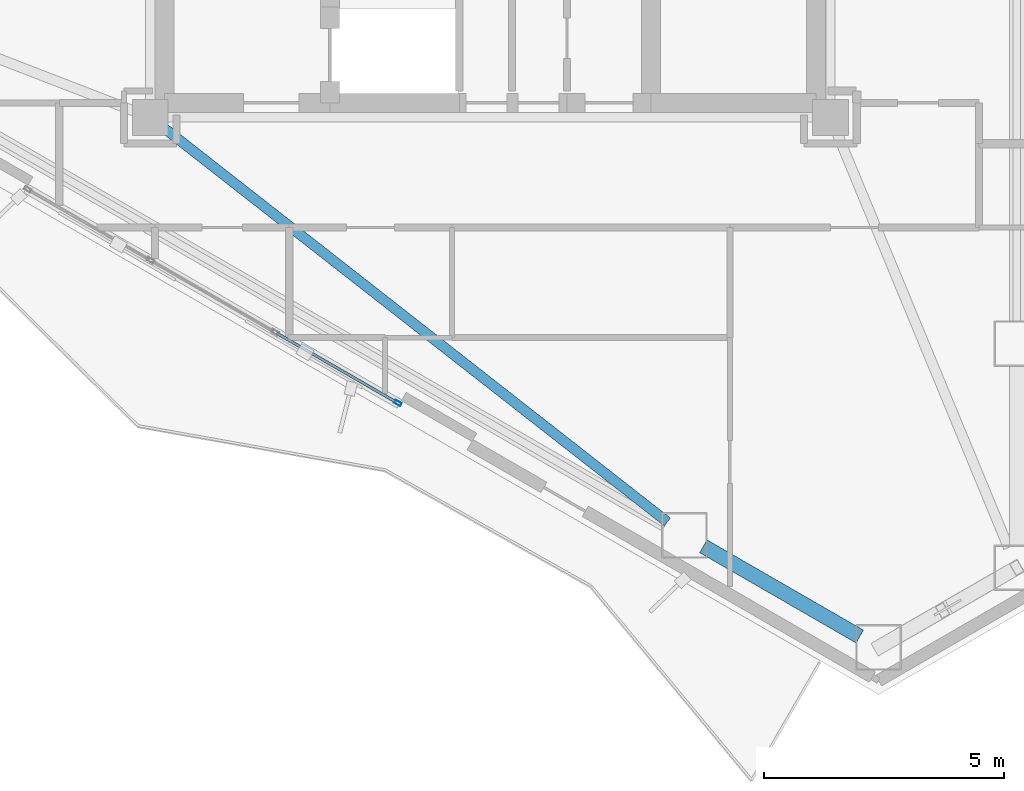
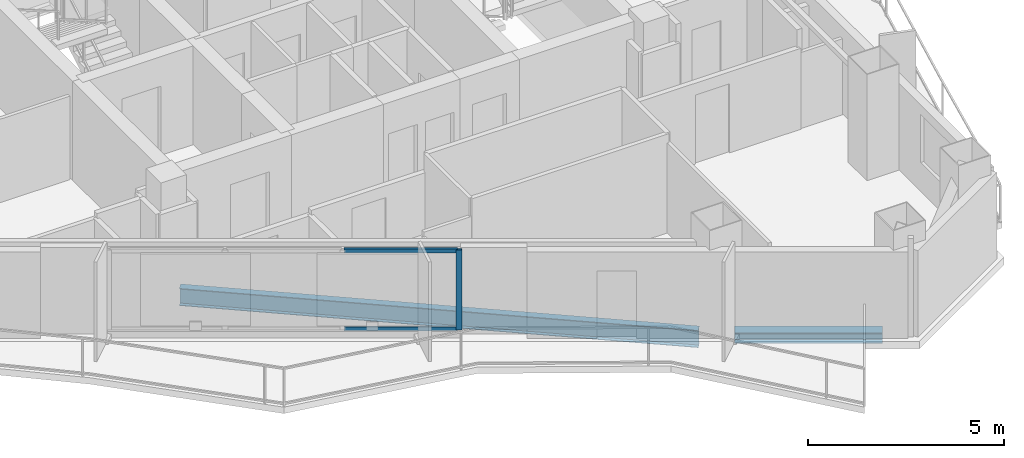
# One storey, part 4 of 22: 3 members, 2 beams, 1 element without a shape of its own.
"""IFC4 building model written with IfcOpenShell, lengths in metres."""

from ifc_helpers import new_model, si_unit, direction, frame, origin, origin_2d, place, context, subcontext, project, spatial, hollow_rectangle, i_section, extrude, material, layer, layer_set, material_profile, profile_set, type_object, element, aggregate, save


model = new_model("IFC4")

# Units and contexts
model_context = context("Model", 3, precision=1e-05, world=origin(), true_north=direction((0.0, 1.0)))
body_context = subcontext(model_context, "Body", "Model", "MODEL_VIEW")
ifc_project = project(units=[si_unit("LENGTHUNIT", "METRE"), si_unit("AREAUNIT", "SQUARE_METRE"), si_unit("VOLUMEUNIT", "CUBIC_METRE"), si_unit("PLANEANGLEUNIT", "RADIAN"), si_unit("MASSUNIT", "GRAM", prefix="KILO")], contexts=[model_context])

# Site, building, storey
site_placement = place(None, origin())
site = spatial("IfcSite", under=ifc_project, at=site_placement, CompositionType="ELEMENT")
building_placement = place(site_placement, origin())
building = spatial("IfcBuilding", under=site, at=building_placement, Name="Mersakhor Tower and Convention Hall", CompositionType="ELEMENT")
storey_placement = place(building_placement, frame((0.0, 0.0, 192.0)))
storey = spatial("IfcBuildingStorey", under=building, at=storey_placement, Name="L53", CompositionType="ELEMENT", Elevation=192.0)

# Beams
ifc_material_1 = material(Name="Steel S355", Category="steel")
ifc_material_profile_1 = material_profile(ifc_material_1, i_section(OverallWidth=0.2099609375, OverallDepth=0.53662109375, WebThickness=0.0107421875, FlangeThickness=0.017333984375, at=origin_2d()), Name="UB 533x210x101")
ifc_profile_set_1 = profile_set([ifc_material_profile_1], Name="Steel S355")
beam_type_1 = type_object("IfcBeamType", Name="BM-FB-533", PredefinedType="BEAM", material=ifc_profile_set_1)
beam_1_placement = place(storey_placement, frame((22.1796875, 20.231201171875, -0.498291015625), z_axis=(0.787496511663, -0.616319109, 0.0), x_axis=(0.616319109, 0.787496511663, 0.0)))
element("IfcBeam", 1, at=beam_1_placement, inside=storey, type_object=beam_type_1, Name="L53 Primary Floor Girder FG-5", PredefinedType="BEAM", context=body_context, shape_type="SweptSolid", body=[
    extrude(i_section(OverallWidth=0.2099609375, OverallDepth=0.53662109375, WebThickness=0.0107421875, FlangeThickness=0.017333984375, at=origin_2d()), origin(), (0.0, 0.0, 1.0), 13.35107421875),
])
ifc_material_2 = material(Name="Steel S355", Category="steel")
ifc_material_profile_2 = material_profile(ifc_material_2, i_section(OverallWidth=0.30908203125, OverallDepth=0.320556640625, WebThickness=0.013916015625, FlangeThickness=0.021728515625, at=origin_2d()), Name="UC 305x305x137")
ifc_profile_set_2 = profile_set([ifc_material_profile_2], Name="Steel S355")
beam_type_2 = type_object("IfcBeamType", Name="BM-SPD-UC305", PredefinedType="SPANDREL", material=ifc_profile_set_2)
beam_2_placement = place(storey_placement, frame((36.710205078125, 9.6103515625, -0.39013671875), z_axis=(-0.866046450459, 0.499963544319, 0.0), x_axis=(-0.499963544319, -0.866046450459, 0.0)))
element("IfcBeam", 2, at=beam_2_placement, inside=storey, type_object=beam_type_2, Name="L53 Perimeter Spandrel Beam SPB-09", PredefinedType="SPANDREL", context=body_context, shape_type="SweptSolid", body=[
    extrude(i_section(OverallWidth=0.30908203125, OverallDepth=0.320556640625, WebThickness=0.013916015625, FlangeThickness=0.021728515625, at=origin_2d()), origin(), (0.0, 0.0, 1.0), 3.769287109375),
])

# Curtain wall, members
ifc_material_3 = material(Name="Dark solar low-E aluminium curtain wall", Category="aluminium")
ifc_layer = layer(ifc_material_3, 0.169921875)
ifc_layer_set = layer_set([ifc_layer], Name="Dark solar low-E aluminium curtain wall")
curtain_wall_type = type_object("IfcCurtainWallType", Name="CW-SYS-02", PredefinedType="USERDEFINED", material=ifc_layer_set)
curtain_wall_placement = place(storey_placement, origin())
curtain_wall = element("IfcCurtainWall", 3, at=curtain_wall_placement, inside=storey, type_object=curtain_wall_type, Name="L53 Dark-Glass Curtain Wall F3-B2", ObjectType="CURTAIN WALL", PredefinedType="USERDEFINED")
ifc_material_4 = material(Name="Anodised aluminium EN AW-6063 T6", Category="aluminium")
ifc_material_profile_3 = material_profile(ifc_material_4, hollow_rectangle(XDim=0.074951171875, YDim=0.14990234375, WallThickness=0.00634765625, at=origin_2d()), Name="RHS 150x75x6.3")
ifc_profile_set_3 = profile_set([ifc_material_profile_3], Name="Anodised aluminium EN AW-6063 T6")
member_type_1 = type_object("IfcMemberType", Name="CWM-150x75", PredefinedType="MULLION", material=ifc_profile_set_3)
member_1_placement = place(storey_placement, frame((27.06982421875, 14.483154296875, 0.199951171875), z_axis=(0.0, 0.0, 1.0), x_axis=(-0.500007824483, -0.86602088627, 0.0)))
member_1 = element("IfcMember", 4, at=member_1_placement, type_object=member_type_1, Name="CW-02 mullion 1", PredefinedType="MULLION", context=body_context, shape_type="SweptSolid", body=[
    extrude(hollow_rectangle(XDim=0.074951171875, YDim=0.14990234375, WallThickness=0.00634765625, at=origin_2d()), origin(), (0.0, 0.0, 1.0), 2.489990234375),
])
ifc_material_5 = material(Name="Anodised aluminium EN AW-6063 T6", Category="aluminium")
ifc_material_profile_4 = material_profile(ifc_material_5, hollow_rectangle(XDim=0.06005859375, YDim=0.1201171875, WallThickness=0.0048828125, at=origin_2d()), Name="RHS 120x60x5")
ifc_profile_set_4 = profile_set([ifc_material_profile_4], Name="Anodised aluminium EN AW-6063 T6")
member_type_2 = type_object("IfcMemberType", Name="CWT-120x60", PredefinedType="USERDEFINED", material=ifc_profile_set_4)
member_2_placement = place(storey_placement, frame((27.037353515625, 14.501953125, 0.22998046875), z_axis=(-0.86601237176, 0.50002257145, 0.0), x_axis=(-0.50002257145, -0.86601237176, 0.0)))
member_2 = element("IfcMember", 5, at=member_2_placement, type_object=member_type_2, Name="CW-02 transom 1.1", ObjectType="TRANSOM", PredefinedType="USERDEFINED", context=body_context, shape_type="SweptSolid", body=[
    extrude(hollow_rectangle(XDim=0.06005859375, YDim=0.1201171875, WallThickness=0.0048828125, at=origin_2d()), origin(), (0.0, 0.0, 1.0), 2.886962890625),
])
member_3_placement = place(storey_placement, frame((27.037353515625, 14.501953125, 2.659912109375), z_axis=(-0.86601237176, 0.50002257145, 0.0), x_axis=(-0.50002257145, -0.86601237176, 0.0)))
member_3 = element("IfcMember", 6, at=member_3_placement, type_object=member_type_2, Name="CW-02 transom 1.2", ObjectType="TRANSOM", PredefinedType="USERDEFINED", context=body_context, shape_type="SweptSolid", body=[
    extrude(hollow_rectangle(XDim=0.06005859375, YDim=0.1201171875, WallThickness=0.0048828125, at=origin_2d()), origin(), (0.0, 0.0, 1.0), 2.886962890625),
])
aggregate(curtain_wall, [member_1, member_2, member_3])

save(model, "model.ifc")
